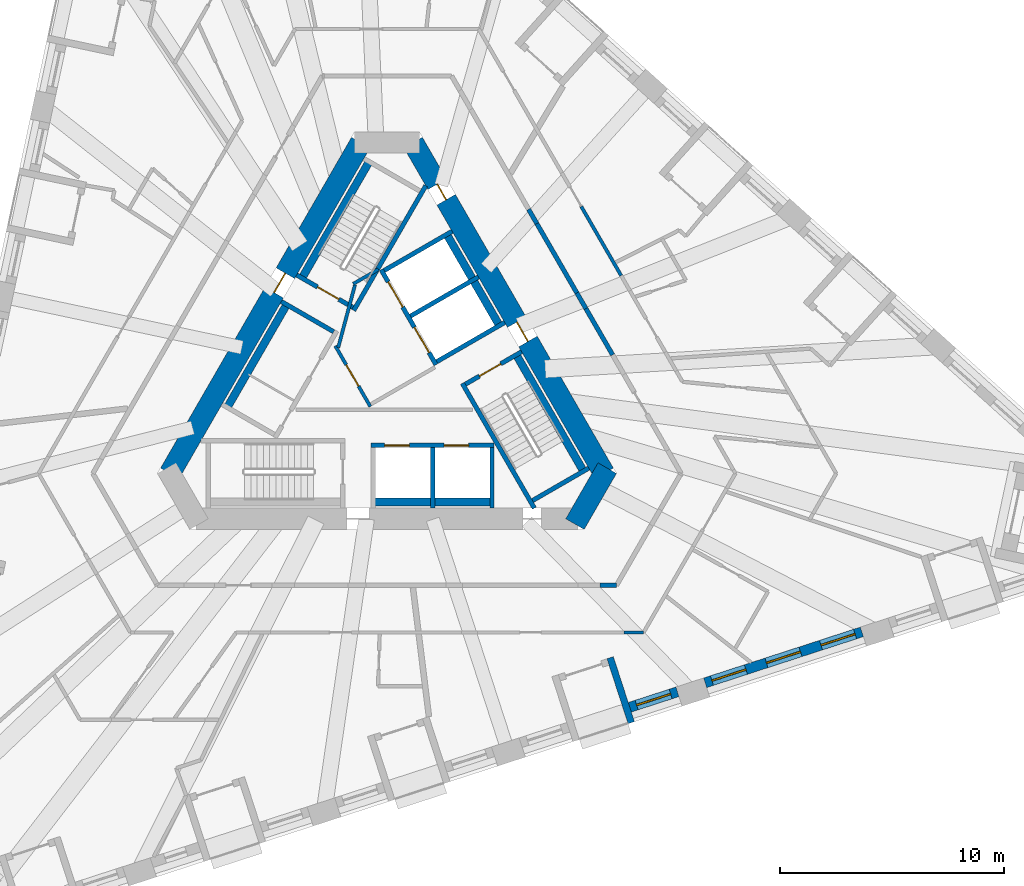
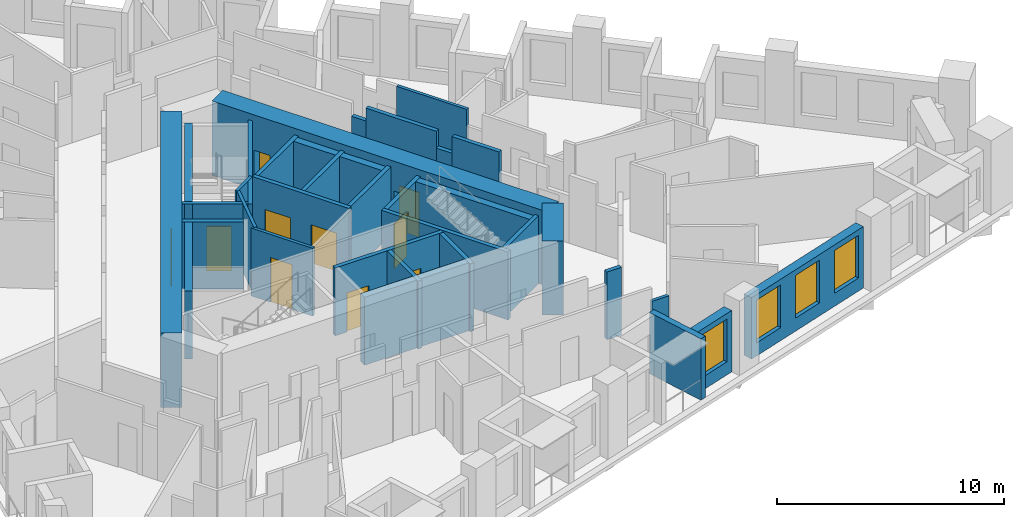
# One storey, part 5 of 13: 34 walls, 10 doors, 4 windows, 14 openings.
"""IFC4 building model written with IfcOpenShell, lengths in metres."""

import ifcopenshell
import ifcopenshell.guid

model = None  # the IFC model being written
_history = None  # IfcOwnerHistory: only IFC2X3 demands one
_inside = {}  # id of a spatial element -> (the spatial element, [elements in it])
_under = {}  # id of a project, library or spatial element -> (it, [spatial elements below it])
_declared = {}  # id of a project -> (the project, [libraries it declares])
_typed = {}  # id of a type object -> (the type object, [elements of that type])
_made_of = {}  # id of a material, layer set ... -> (it, [elements and type objects made of it])


def new_model(schema):
    """Start an empty IFC model of exactly this schema.

    Asked for "IFC4X3", IfcOpenShell would pick the latest addendum, in which some entities
    have other attributes; the version numbers below select the first issue.
    IFC2X3 requires an IfcOwnerHistory on every rooted entity: one is made here for all.
    """
    global model, _history
    if schema == "IFC4X3":
        model = ifcopenshell.file(schema_version=(4, 3, 0, 0))
    else:
        model = ifcopenshell.file(schema=schema)
    _inside.clear()
    _under.clear()
    _declared.clear()
    _typed.clear()
    _made_of.clear()
    _history = None
    if model.schema == "IFC2X3":
        org = make("IfcOrganization", Name="unknown")
        user = make(
            "IfcPersonAndOrganization",
            ThePerson=make("IfcPerson", FamilyName="unknown"),
            TheOrganization=org,
        )
        app = make(
            "IfcApplication",
            ApplicationDeveloper=org,
            Version="unknown",
            ApplicationFullName="unknown",
            ApplicationIdentifier="unknown",
        )
        _history = make(
            "IfcOwnerHistory",
            OwningUser=user,
            OwningApplication=app,
            ChangeAction="ADDED",
            CreationDate=0,
        )
    return model


def make(cls, **values):
    """One entity of the class cls with the attributes given. An attribute that is None is left unset."""
    return model.create_entity(
        cls, **{name: value for name, value in values.items() if value is not None}
    )


def rooted(cls, **values):
    """An entity with a GlobalId (a new one), such as an element, a storey or a relation."""
    return make(cls, GlobalId=ifcopenshell.guid.new(), OwnerHistory=_history, **values)


def si_unit(unit_type, name, prefix=None):
    """IfcSIUnit, for example si_unit("LENGTHUNIT", "METRE", prefix="MILLI")."""
    return make("IfcSIUnit", UnitType=unit_type, Prefix=prefix, Name=name)


def assignment(units):
    """IfcUnitAssignment: the units of a project."""
    return None if units is None else make("IfcUnitAssignment", Units=units)


def point(xyz):
    """IfcCartesianPoint."""
    return None if xyz is None else make("IfcCartesianPoint", Coordinates=xyz)


def direction(xyz):
    """IfcDirection."""
    return None if xyz is None else make("IfcDirection", DirectionRatios=xyz)


def frame(location, z_axis=None, x_axis=None):
    """IfcAxis2Placement3D, a coordinate frame: its origin and axes. An axis left out is left unset."""
    return make(
        "IfcAxis2Placement3D",
        Location=point(location),
        Axis=direction(z_axis),
        RefDirection=direction(x_axis),
    )


def frame_2d(location, x_axis=None):
    """IfcAxis2Placement2D, a coordinate frame in the plane: its origin and x axis."""
    return make(
        "IfcAxis2Placement2D", Location=point(location), RefDirection=direction(x_axis)
    )


def origin():
    """The frame at (0, 0, 0) with its axes left unset."""
    return frame((0.0, 0.0, 0.0))


def place(relative_to, where):
    """IfcLocalPlacement: puts the frame where relative to a parent placement (None: the world)."""
    return make(
        "IfcLocalPlacement", PlacementRelTo=relative_to, RelativePlacement=where
    )


def context(
    kind, dimensions, precision=None, world=None, true_north=None, identifier=None
):
    """IfcGeometricRepresentationContext, for example the 3D "Model" context."""
    return make(
        "IfcGeometricRepresentationContext",
        ContextIdentifier=identifier,
        ContextType=kind,
        CoordinateSpaceDimension=dimensions,
        Precision=precision,
        WorldCoordinateSystem=world,
        TrueNorth=true_north,
    )


def subcontext(parent, identifier, kind, view, scale=None):
    """IfcGeometricRepresentationSubContext, for example "Body" below "Model"."""
    return make(
        "IfcGeometricRepresentationSubContext",
        ContextIdentifier=identifier,
        ContextType=kind,
        ParentContext=parent,
        TargetScale=scale,
        TargetView=view,
    )


def project(units=None, contexts=None):
    """IfcProject with its units and contexts."""
    return rooted(
        "IfcProject",
        Name="project",
        RepresentationContexts=contexts,
        UnitsInContext=assignment(units),
    )


def spatial(cls, under=None, at=None, **own):
    """A site, building, storey or space (cls), placed at a placement, below another one or the project."""
    s = rooted(cls, ObjectPlacement=at, **own)
    if under is not None:
        _under.setdefault(under.id(), (under, []))[1].append(s)
    return s


def profile(cls, at=None, kind="AREA", **sizes):
    """A parametric profile (cls). Its sizes go by their IFC names, for example OverallWidth=200.0."""
    return make(cls, ProfileType=kind, Position=at, **sizes)


def rectangle(**sizes):
    """IfcRectangleProfileDef."""
    return profile("IfcRectangleProfileDef", **sizes)


def extrude(swept, where, along, depth):
    """IfcExtrudedAreaSolid: the profile swept, set in the frame where, extruded along a direction by depth."""
    return make(
        "IfcExtrudedAreaSolid",
        SweptArea=swept,
        Position=where,
        ExtrudedDirection=direction(along),
        Depth=depth,
    )


def shape(context_of_items, identifier, shape_type, items):
    """IfcShapeRepresentation: the items that make up one representation, for example the "Body"."""
    return make(
        "IfcShapeRepresentation",
        ContextOfItems=context_of_items,
        RepresentationIdentifier=identifier,
        RepresentationType=shape_type,
        Items=items,
    )


def material(Name=None, Category=None):
    """IfcMaterial."""
    return make("IfcMaterial", Name=Name, Category=Category)


def layer(
    of_material, thickness, ventilated=None, Name=None, Category=None, Priority=None
):
    """IfcMaterialLayer: one layer of a wall or slab, of a material (None: an air gap)."""
    return make(
        "IfcMaterialLayer",
        Material=of_material,
        LayerThickness=thickness,
        IsVentilated=ventilated,
        Name=Name,
        Category=Category,
        Priority=Priority,
    )


def layer_set(layers, Name=None):
    """IfcMaterialLayerSet."""
    return make("IfcMaterialLayerSet", MaterialLayers=layers, LayerSetName=Name)


def made_of(thing, what):
    """Note that an element or type object is made of a material, layer set ...; save() writes the relation."""
    if what is not None:
        _made_of.setdefault(what.id(), (what, []))[1].append(thing)
    return thing


def type_object(cls, material=None, **own):
    """A type object (cls), such as IfcWallType, which elements share."""
    return made_of(rooted(cls, **own), material)


def element(
    cls,
    number,
    at=None,
    inside=None,
    cuts=None,
    type_object=None,
    material=None,
    context=None,
    identifier="Body",
    shape_type=None,
    held_by="IfcProductDefinitionShape",
    body=None,
    shapes=None,
    **own,
):
    """One element of the class cls, such as IfcWall. Its Tag is "e" and its number.

    at: its placement. inside: the storey or other place that contains it. cuts: it is an
    opening in that element (IfcRelVoidsElement). A single representation is given by context,
    identifier, shape_type and body (its items); several are given by shapes. held_by: the class
    of the entity that holds the representations. save() writes the other relations.
    """
    e = rooted(cls, Tag="e%d" % number, ObjectPlacement=at, **own)
    if body is not None:
        shapes = [shape(context, identifier, shape_type, body)]
    if shapes is not None:
        e.Representation = make(held_by, Representations=shapes)
    if inside is not None:
        _inside.setdefault(inside.id(), (inside, []))[1].append(e)
    if cuts is not None:
        rooted(
            "IfcRelVoidsElement", RelatingBuildingElement=cuts, RelatedOpeningElement=e
        )
    if type_object is not None:
        _typed.setdefault(type_object.id(), (type_object, []))[1].append(e)
    return made_of(e, material)


def fill(opening, filler):
    """IfcRelFillsElement: the door or window that sits in an opening."""
    return rooted(
        "IfcRelFillsElement",
        RelatingOpeningElement=opening,
        RelatedBuildingElement=filler,
    )


def aggregate(whole, parts):
    """IfcRelAggregates: a whole, such as a stair, and the parts it consists of."""
    return rooted("IfcRelAggregates", RelatingObject=whole, RelatedObjects=parts)


def save(model, path):
    """Write the relations noted so far, then the file.

    IfcRelAggregates (storeys below a building ...), IfcRelContainedInSpatialStructure (elements
    in a storey), IfcRelDefinesByType, IfcRelAssociatesMaterial and IfcRelDeclares: one each for
    every whole, place, type object, material and project.
    """
    for whole, parts in _under.values():
        aggregate(whole, parts)
    for where, things in _inside.values():
        rooted(
            "IfcRelContainedInSpatialStructure",
            RelatedElements=things,
            RelatingStructure=where,
        )
    for kind, things in _typed.values():
        rooted("IfcRelDefinesByType", RelatedObjects=things, RelatingType=kind)
    for what, things in _made_of.values():
        rooted("IfcRelAssociatesMaterial", RelatedObjects=things, RelatingMaterial=what)
    for by, libraries in _declared.values():
        rooted("IfcRelDeclares", RelatingContext=by, RelatedDefinitions=libraries)
    model.write(path)


model = new_model("IFC4")

# Units and contexts
model_context = context("Model", 3, precision=1e-05, world=origin(), true_north=direction((0.0, 1.0)))
body_context = subcontext(model_context, "Body", "Model", "MODEL_VIEW")
ifc_project = project(units=[si_unit("LENGTHUNIT", "METRE"), si_unit("AREAUNIT", "SQUARE_METRE"), si_unit("VOLUMEUNIT", "CUBIC_METRE"), si_unit("PLANEANGLEUNIT", "RADIAN"), si_unit("MASSUNIT", "GRAM", prefix="KILO")], contexts=[model_context])

# Site, building, storey
site_placement = place(None, origin())
site = spatial("IfcSite", under=ifc_project, at=site_placement, CompositionType="ELEMENT")
building_placement = place(site_placement, origin())
building = spatial("IfcBuilding", under=site, at=building_placement, Name="Tramontana Tower", CompositionType="ELEMENT")
storey_placement = place(building_placement, frame((0.0, 0.0, 104.39990234375)))
storey = spatial("IfcBuildingStorey", under=building, at=storey_placement, Name="L23", CompositionType="ELEMENT", Elevation=104.39990234375)

# Wall, opening, door
ifc_material_1 = material(Name="Concrete 70 MPa", Category="concrete")
ifc_layer_1 = layer(ifc_material_1, 0.949951171875)
ifc_layer_set_1 = layer_set([ifc_layer_1], Name="Core wall 950 70 MPa")
wall_type_1 = type_object("IfcWallType", Name="Core wall 950 70 MPa", PredefinedType="SHEAR", material=ifc_layer_set_1)
wall_1_placement = place(storey_placement, frame((-1.169189453125, 10.52490234375, 0.0), z_axis=(0.0, 0.0, 1.0), x_axis=(-0.499999102847, -0.866025921755, 0.0)))
wall_1 = element("IfcWall", 1, at=wall_1_placement, inside=storey, type_object=wall_type_1, Name="Core wall C1 L23", PredefinedType="SHEAR", context=body_context, shape_type="SweptSolid", body=[
    extrude(rectangle(XDim=17.060546875, YDim=0.949951171875, at=frame_2d((8.5302734375, 0.0))), origin(), (0.0, 0.0, 1.0), 4.0),
])
opening_1_placement = place(wall_1_placement, frame((6.7353515625, 0.0, 0.0)))
opening_1 = element("IfcOpeningElement", 2, at=opening_1_placement, cuts=wall_1, Name="Opening RG1", PredefinedType="OPENING", context=body_context, shape_type="SweptSolid", body=[
    extrude(rectangle(XDim=1.0, YDim=2.39990234375, at=frame_2d((0.5, 1.199951171875))), frame((0.0, 0.48486328125, 0.0), z_axis=(0.0, -1.0, 0.0), x_axis=(1.0, 0.0, 0.0)), (0.0, 0.0, 1.0), 0.969970703125),
])
ifc_material_2 = material(Name="Painted steel", Category="steel")
door_type_1 = type_object("IfcDoorType", Name="RING DOOR 1000", OperationType="SINGLE_SWING_LEFT", PredefinedType="DOOR", material=ifc_material_2)
door_1_placement = place(opening_1_placement, origin())
door_1 = element("IfcDoor", 3, at=door_1_placement, inside=storey, type_object=door_type_1, Name="Door RG1", OperationType="SINGLE_SWING_RIGHT", OverallHeight=2.39990234375, OverallWidth=1.0, PredefinedType="DOOR", context=body_context, shape_type="SweptSolid", body=[
    extrude(rectangle(XDim=1.0, YDim=2.39990234375, at=frame_2d((0.5, 1.199951171875))), frame((0.0, 0.02490234375, 0.0), z_axis=(0.0, -1.0, 0.0), x_axis=(1.0, 0.0, 0.0)), (0.0, 0.0, 1.0), 0.050048828125),
])
fill(opening_1, door_1)

# Wall
wall_2_placement = place(storey_placement, frame((8.393310546875, -6.512451171875, 0.0), z_axis=(0.0, 0.0, 1.0), x_axis=(0.499995765644, 0.866027848477, 0.0)))
element("IfcWall", 4, at=wall_2_placement, inside=storey, type_object=wall_type_1, Name="Core wall C4 L23", PredefinedType="SHEAR", context=body_context, shape_type="SweptSolid", body=[
    extrude(rectangle(XDim=2.88671875, YDim=0.949951171875, at=frame_2d((1.443359375, 0.0))), origin(), (0.0, 0.0, 1.0), 4.0),
])

# Wall, openings, doors
wall_3_placement = place(storey_placement, frame((9.699462890625, -4.25, 0.0), z_axis=(0.0, 0.0, 1.0), x_axis=(-0.499999102847, 0.866025921755, 0.0)))
wall_3 = element("IfcWall", 5, at=wall_3_placement, inside=storey, type_object=wall_type_1, Name="Core wall C5 L23", PredefinedType="SHEAR", context=body_context, shape_type="SweptSolid", body=[
    extrude(rectangle(XDim=17.060546875, YDim=0.949951171875, at=frame_2d((8.5302734375, 0.0))), origin(), (0.0, 0.0, 1.0), 4.0),
])
opening_2_placement = place(wall_3_placement, frame((6.805419921875, 0.0, 0.0)))
opening_2 = element("IfcOpeningElement", 6, at=opening_2_placement, cuts=wall_3, Name="Opening RG3", PredefinedType="OPENING", context=body_context, shape_type="SweptSolid", body=[
    extrude(rectangle(XDim=1.0, YDim=2.39990234375, at=frame_2d((0.5, 1.199951171875))), frame((0.0, 0.48486328125, 0.0), z_axis=(0.0, -1.0, 0.0), x_axis=(1.0, 0.0, 0.0)), (0.0, 0.0, 1.0), 0.969970703125),
])
opening_3_placement = place(wall_3_placement, frame((14.11376953125, 0.0, 0.0)))
opening_3 = element("IfcOpeningElement", 7, at=opening_3_placement, cuts=wall_3, Name="Opening PD3", PredefinedType="OPENING", context=body_context, shape_type="SweptSolid", body=[
    extrude(rectangle(XDim=0.800048828125, YDim=2.10009765625, at=frame_2d((0.39990234375, 1.050048828125))), frame((0.0, 0.48486328125, 0.0), z_axis=(0.0, -1.0, 0.0), x_axis=(1.0, 0.0, 0.0)), (0.0, 0.0, 1.0), 0.969970703125),
])
ifc_material_3 = material(Name="Painted steel", Category="steel")
door_type_2 = type_object("IfcDoorType", Name="CUPBOARD DOOR 800", OperationType="SINGLE_SWING_LEFT", PredefinedType="DOOR", material=ifc_material_3)
door_2_placement = place(opening_3_placement, origin())
door_2 = element("IfcDoor", 8, at=door_2_placement, inside=storey, type_object=door_type_2, Name="Door PD3", OperationType="SINGLE_SWING_RIGHT", OverallHeight=2.10009765625, OverallWidth=0.800048828125, PredefinedType="DOOR", context=body_context, shape_type="SweptSolid", body=[
    extrude(rectangle(XDim=0.800048828125, YDim=2.10009765625, at=frame_2d((0.39990234375, 1.050048828125))), frame((0.0, 0.02490234375, 0.0), z_axis=(0.0, -1.0, 0.0), x_axis=(1.0, 0.0, 0.0)), (0.0, 0.0, 1.0), 0.050048828125),
])
fill(opening_3, door_2)
door_3_placement = place(opening_2_placement, origin())
door_3 = element("IfcDoor", 9, at=door_3_placement, inside=storey, type_object=door_type_1, Name="Door RG3", OperationType="SINGLE_SWING_RIGHT", OverallHeight=2.39990234375, OverallWidth=1.0, PredefinedType="DOOR", context=body_context, shape_type="SweptSolid", body=[
    extrude(rectangle(XDim=1.0, YDim=2.39990234375, at=frame_2d((0.5, 1.199951171875))), frame((0.0, 0.02490234375, 0.0), z_axis=(0.0, -1.0, 0.0), x_axis=(1.0, 0.0, 0.0)), (0.0, 0.0, 1.0), 0.050048828125),
])
fill(opening_2, door_3)

# Walls
ifc_material_4 = material(Name="Blockwork", Category="masonry")
ifc_layer_2 = layer(ifc_material_4, 0.199951171875)
ifc_layer_set_2 = layer_set([ifc_layer_2], Name="ENTRY WALL 200")
wall_type_2 = type_object("IfcWallType", Name="ENTRY WALL 200", PredefinedType="SOLIDWALL", material=ifc_layer_set_2)
wall_4_placement = place(storey_placement, frame((6.323974609375, 7.546630859375, 0.0), z_axis=(0.0, 0.0, 1.0), x_axis=(0.499885169746, -0.866091690913, 0.0)))
element("IfcWall", 10, at=wall_4_placement, inside=storey, type_object=wall_type_2, Name="Wall v21-ew0-3", PredefinedType="SOLIDWALL", context=body_context, shape_type="SweptSolid", body=[
    extrude(rectangle(XDim=0.736083984375, YDim=0.199951171875, at=frame_2d((0.3681640625, 0.0))), origin(), (0.0, 0.0, 1.0), 2.9501953125),
])
wall_5_placement = place(storey_placement, frame((6.69189453125, 6.9091796875, 0.0), z_axis=(0.0, 0.0, 1.0), x_axis=(0.500029679218, -0.866008267802, 0.0)))
element("IfcWall", 11, at=wall_5_placement, inside=storey, type_object=wall_type_2, Name="Wall v21-ew0-4", PredefinedType="SOLIDWALL", context=body_context, shape_type="SweptSolid", body=[
    extrude(rectangle(XDim=3.576904296875, YDim=0.199951171875, at=frame_2d((1.78857421875, 0.0))), origin(), (0.0, 0.0, 1.0), 3.650146484375),
])
wall_6_placement = place(storey_placement, frame((8.48046875, 3.8115234375, 0.0), z_axis=(0.0, 0.0, 1.0), x_axis=(0.499809598504, -0.866135304236, 0.0)))
element("IfcWall", 12, at=wall_6_placement, inside=storey, type_object=wall_type_2, Name="Wall v21-ew0-5", PredefinedType="SOLIDWALL", context=body_context, shape_type="SweptSolid", body=[
    extrude(rectangle(XDim=0.808349609375, YDim=0.199951171875, at=frame_2d((0.404296875, 0.0))), origin(), (0.0, 0.0, 1.0), 2.75),
])
wall_7_placement = place(storey_placement, frame((8.884521484375, 3.111328125, 0.0), z_axis=(0.0, 0.0, 1.0), x_axis=(0.500035462246, -0.866004928679, 0.0)))
element("IfcWall", 13, at=wall_7_placement, inside=storey, type_object=wall_type_2, Name="Wall v21-ew0-6", PredefinedType="SOLIDWALL", context=body_context, shape_type="SweptSolid", body=[
    extrude(rectangle(XDim=2.385498046875, YDim=0.199951171875, at=frame_2d((1.19287109375, 0.0))), origin(), (0.0, 0.0, 1.0), 3.650146484375),
])
wall_8_placement = place(storey_placement, frame((10.248046875, -9.25, 0.0), z_axis=(0.0, 0.0, 1.0), x_axis=(-1.0, 0.0, 0.0)))
element("IfcWall", 14, at=wall_8_placement, inside=storey, type_object=wall_type_2, Name="Wall v21-ew2-0", PredefinedType="SOLIDWALL", context=body_context, shape_type="SweptSolid", body=[
    extrude(rectangle(XDim=0.74365234375, YDim=0.199951171875, at=frame_2d((0.371826171875, 0.0))), origin(), (0.0, 0.0, 1.0), 3.650146484375),
])

# Wall, opening, window
ifc_material_5 = material(Name="Precast concrete 60 MPa", Category="concrete")
ifc_layer_3 = layer(ifc_material_5, 0.449951171875)
ifc_layer_set_3 = layer_set([ifc_layer_3], Name="Precast concrete 60 MPa, 450 mm")
wall_type_3 = type_object("IfcWallType", Name="EW1 Stone-faced precast wall 450", PredefinedType="SOLIDWALL", material=ifc_layer_set_3)
wall_9_placement = place(storey_placement, frame((10.8447265625, -14.69287109375, 0.0), z_axis=(0.0, 0.0, 1.0), x_axis=(0.951057328329, 0.30901449518, 0.0)))
wall_9 = element("IfcWall", 15, at=wall_9_placement, inside=storey, type_object=wall_type_3, Name="External wall L23 face 1 bay 4", PredefinedType="SOLIDWALL", context=body_context, shape_type="SweptSolid", body=[
    extrude(rectangle(XDim=2.236572265625, YDim=0.449951171875, at=frame_2d((1.1181640625, 0.0))), origin(), (0.0, 0.0, 1.0), 3.300048828125),
])
opening_4_placement = place(wall_9_placement, frame((0.318359375, 0.0, 0.699951171875)))
opening_4 = element("IfcOpeningElement", 16, at=opening_4_placement, cuts=wall_9, Name="Opening M1", PredefinedType="OPENING", context=body_context, shape_type="SweptSolid", body=[
    extrude(rectangle(XDim=1.60009765625, YDim=2.300048828125, at=frame_2d((0.800048828125, 1.14990234375))), frame((0.0, 0.23486328125, 0.0), z_axis=(0.0, -1.0, 0.0), x_axis=(1.0, 0.0, 0.0)), (0.0, 0.0, 1.0), 0.469970703125),
])
ifc_material_6 = material(Name="Aluminum frame, double glazing unit", Category="aluminium")
window_type = type_object("IfcWindowType", Name="M1 Window 1.6 x 2.3", PartitioningType="SINGLE_PANEL", PredefinedType="WINDOW", material=ifc_material_6)
window_1_placement = place(opening_4_placement, origin())
window_1 = element("IfcWindow", 17, at=window_1_placement, inside=storey, type_object=window_type, Name="Window M1 L23 face 1 module 12", OverallHeight=2.300048828125, OverallWidth=1.60009765625, PartitioningType="SINGLE_PANEL", PredefinedType="WINDOW", context=body_context, shape_type="SweptSolid", body=[
    extrude(rectangle(XDim=1.60009765625, YDim=2.300048828125, at=frame_2d((0.800048828125, 1.14990234375))), frame((0.0, 0.030029296875, 0.0), z_axis=(0.0, -1.0, 0.0), x_axis=(1.0, 0.0, 0.0)), (0.0, 0.0, 1.0), 0.06005859375),
])
fill(opening_4, window_1)

# Wall, openings, windows
wall_10_placement = place(storey_placement, frame((14.208251953125, -13.60009765625, 0.0), z_axis=(0.0, 0.0, 1.0), x_axis=(0.951057467065, 0.309014068191, 0.0)))
wall_10 = element("IfcWall", 18, at=wall_10_placement, inside=storey, type_object=wall_type_3, Name="External wall L23 face 1 bay 5", PredefinedType="SOLIDWALL", context=body_context, shape_type="SweptSolid", body=[
    extrude(rectangle(XDim=7.360107421875, YDim=0.449951171875, at=frame_2d((3.68017578125, 0.0))), origin(), (0.0, 0.0, 1.0), 3.300048828125),
])
opening_5_placement = place(wall_10_placement, frame((0.318359375, 0.0, 0.699951171875)))
opening_5 = element("IfcOpeningElement", 19, at=opening_5_placement, cuts=wall_10, Name="Opening M1", PredefinedType="OPENING", context=body_context, shape_type="SweptSolid", body=[
    extrude(rectangle(XDim=1.60009765625, YDim=2.300048828125, at=frame_2d((0.800048828125, 1.14990234375))), frame((0.0, 0.23486328125, 0.0), z_axis=(0.0, -1.0, 0.0), x_axis=(1.0, 0.0, 0.0)), (0.0, 0.0, 1.0), 0.469970703125),
])
opening_6_placement = place(wall_10_placement, frame((2.880126953125, 0.0, 0.699951171875)))
opening_6 = element("IfcOpeningElement", 20, at=opening_6_placement, cuts=wall_10, Name="Opening M1", PredefinedType="OPENING", context=body_context, shape_type="SweptSolid", body=[
    extrude(rectangle(XDim=1.60009765625, YDim=2.300048828125, at=frame_2d((0.800048828125, 1.14990234375))), frame((0.0, 0.23486328125, 0.0), z_axis=(0.0, -1.0, 0.0), x_axis=(1.0, 0.0, 0.0)), (0.0, 0.0, 1.0), 0.469970703125),
])
opening_7_placement = place(wall_10_placement, frame((5.44189453125, 0.0, 0.699951171875)))
opening_7 = element("IfcOpeningElement", 21, at=opening_7_placement, cuts=wall_10, Name="Opening M1", PredefinedType="OPENING", context=body_context, shape_type="SweptSolid", body=[
    extrude(rectangle(XDim=1.60009765625, YDim=2.300048828125, at=frame_2d((0.800048828125, 1.14990234375))), frame((0.0, 0.23486328125, 0.0), z_axis=(0.0, -1.0, 0.0), x_axis=(1.0, 0.0, 0.0)), (0.0, 0.0, 1.0), 0.469970703125),
])
window_2_placement = place(opening_5_placement, origin())
window_2 = element("IfcWindow", 22, at=window_2_placement, inside=storey, type_object=window_type, Name="Window M1 L23 face 1 module 13", OverallHeight=2.300048828125, OverallWidth=1.60009765625, PartitioningType="SINGLE_PANEL", PredefinedType="WINDOW", context=body_context, shape_type="SweptSolid", body=[
    extrude(rectangle(XDim=1.60009765625, YDim=2.300048828125, at=frame_2d((0.800048828125, 1.14990234375))), frame((0.0, 0.030029296875, 0.0), z_axis=(0.0, -1.0, 0.0), x_axis=(1.0, 0.0, 0.0)), (0.0, 0.0, 1.0), 0.06005859375),
])
fill(opening_5, window_2)
window_3_placement = place(opening_6_placement, origin())
window_3 = element("IfcWindow", 23, at=window_3_placement, inside=storey, type_object=window_type, Name="Window M1 L23 face 1 module 14", OverallHeight=2.300048828125, OverallWidth=1.60009765625, PartitioningType="SINGLE_PANEL", PredefinedType="WINDOW", context=body_context, shape_type="SweptSolid", body=[
    extrude(rectangle(XDim=1.60009765625, YDim=2.300048828125, at=frame_2d((0.800048828125, 1.14990234375))), frame((0.0, 0.030029296875, 0.0), z_axis=(0.0, -1.0, 0.0), x_axis=(1.0, 0.0, 0.0)), (0.0, 0.0, 1.0), 0.06005859375),
])
fill(opening_6, window_3)
window_4_placement = place(opening_7_placement, origin())
window_4 = element("IfcWindow", 24, at=window_4_placement, inside=storey, type_object=window_type, Name="Window M1 L23 face 1 module 15", OverallHeight=2.300048828125, OverallWidth=1.60009765625, PartitioningType="SINGLE_PANEL", PredefinedType="WINDOW", context=body_context, shape_type="SweptSolid", body=[
    extrude(rectangle(XDim=1.60009765625, YDim=2.300048828125, at=frame_2d((0.800048828125, 1.14990234375))), frame((0.0, 0.030029296875, 0.0), z_axis=(0.0, -1.0, 0.0), x_axis=(1.0, 0.0, 0.0)), (0.0, 0.0, 1.0), 0.06005859375),
])
fill(opening_7, window_4)

# Wall
ifc_material_7 = material(Name="Precast concrete 60 MPa", Category="concrete")
ifc_layer_4 = layer(ifc_material_7, 0.300048828125)
ifc_layer_set_4 = layer_set([ifc_layer_4], Name="LW1 Stone-faced loggia wall 300")
wall_type_4 = type_object("IfcWallType", Name="LW1 Stone-faced loggia wall 300", PredefinedType="SOLIDWALL", material=ifc_layer_set_4)
wall_11_placement = place(storey_placement, frame((10.91064453125, -15.38134765625, 0.0), z_axis=(0.0, 0.0, 1.0), x_axis=(-0.309039015525, 0.951049360908, 0.0)))
element("IfcWall", 25, at=wall_11_placement, inside=storey, type_object=wall_type_4, Name="Loggia return L23 G2S1.10b", PredefinedType="SOLIDWALL", context=body_context, shape_type="SweptSolid", body=[
    extrude(rectangle(XDim=3.05029296875, YDim=0.300048828125, at=frame_2d((1.525146484375, 0.0))), origin(), (0.0, 0.0, 1.0), 3.300048828125),
])

# Wall, opening, door
ifc_material_8 = material(Name="Gypsum board partition")
ifc_layer_5 = layer(ifc_material_8, 0.14990234375)
ifc_layer_set_5 = layer_set([ifc_layer_5], Name="PARTITION 150")
wall_type_5 = type_object("IfcWallType", Name="PARTITION 150", PredefinedType="PARTITIONING", material=ifc_layer_set_5)
wall_12_placement = place(storey_placement, frame((-0.744140625, -1.260986328125, 0.0), z_axis=(0.0, 0.0, 1.0), x_axis=(-0.500004234368, 0.866022959057, 0.0)))
wall_12 = element("IfcWall", 26, at=wall_12_placement, inside=storey, type_object=wall_type_5, Name="Wall ff-front", PredefinedType="PARTITIONING", context=body_context, shape_type="SweptSolid", body=[
    extrude(rectangle(XDim=3.125, YDim=0.14990234375, at=frame_2d((1.5625, 0.0))), origin(), (0.0, 0.0, 1.0), 3.650146484375),
])
opening_8_placement = place(wall_12_placement, frame((1.050048828125, 0.0, 0.0)))
opening_8 = element("IfcOpeningElement", 27, at=opening_8_placement, cuts=wall_12, Name="Opening FD1", PredefinedType="OPENING", context=body_context, shape_type="SweptSolid", body=[
    extrude(rectangle(XDim=1.10009765625, YDim=2.39990234375, at=frame_2d((0.550048828125, 1.199951171875))), frame((0.0, 0.0849609375, 0.0), z_axis=(0.0, -1.0, 0.0), x_axis=(1.0, 0.0, 0.0)), (0.0, 0.0, 1.0), 0.169921875),
])
ifc_material_9 = material(Name="Painted timber", Category="wood")
door_type_3 = type_object("IfcDoorType", Name="DOOR ENTRY 1100", OperationType="SINGLE_SWING_LEFT", PredefinedType="DOOR", material=ifc_material_9)
door_4_placement = place(opening_8_placement, origin())
door_4 = element("IfcDoor", 28, at=door_4_placement, inside=storey, type_object=door_type_3, Name="Door FD1", OperationType="SINGLE_SWING_LEFT", OverallHeight=2.39990234375, OverallWidth=1.10009765625, PredefinedType="DOOR", context=body_context, shape_type="SweptSolid", body=[
    extrude(rectangle(XDim=1.10009765625, YDim=2.39990234375, at=frame_2d((0.550048828125, 1.199951171875))), frame((0.0, 0.02490234375, 0.0), z_axis=(0.0, -1.0, 0.0), x_axis=(1.0, 0.0, 0.0)), (0.0, 0.0, 1.0), 0.050048828125),
])
fill(opening_8, door_4)

# Walls
wall_13_placement = place(storey_placement, frame((-2.177978515625, 1.372314453125, 0.0), z_axis=(0.0, 0.0, 1.0), x_axis=(0.258808958833, 0.96592852884, 0.0)))
element("IfcWall", 29, at=wall_13_placement, inside=storey, type_object=wall_type_5, Name="Wall ff-diag", PredefinedType="PARTITIONING", context=body_context, shape_type="SweptSolid", body=[
    extrude(rectangle(XDim=2.902587890625, YDim=0.14990234375, at=frame_2d((1.451171875, 0.0))), origin(), (0.0, 0.0, 1.0), 3.650146484375),
])
wall_14_placement = place(storey_placement, frame((-1.509765625, 4.21484375, 0.0), z_axis=(0.0, 0.0, 1.0), x_axis=(0.866085525409, 0.49989585183, 0.0)))
element("IfcWall", 30, at=wall_14_placement, inside=storey, type_object=wall_type_5, Name="Wall ff-end1", PredefinedType="PARTITIONING", context=body_context, shape_type="SweptSolid", body=[
    extrude(rectangle(XDim=1.300048828125, YDim=0.14990234375, at=frame_2d((0.64990234375, 0.0))), origin(), (0.0, 0.0, 1.0), 3.650146484375),
])
wall_15_placement = place(storey_placement, frame((8.678955078125, 7.667724609375, 0.0), z_axis=(0.0, 0.0, 1.0), x_axis=(0.500013496215, -0.866017611601, 0.0)))
element("IfcWall", 31, at=wall_15_placement, inside=storey, type_object=wall_type_5, Name="Wall v21-pw40-3", PredefinedType="PARTITIONING", context=body_context, shape_type="SweptSolid", body=[
    extrude(rectangle(XDim=3.55810546875, YDim=0.14990234375, at=frame_2d((1.779052734375, 0.0))), origin(), (0.0, 0.0, 1.0), 3.650146484375),
])
wall_16_placement = place(storey_placement, frame((11.46044921875, -11.35009765625, 0.0), z_axis=(0.0, 0.0, 1.0), x_axis=(-1.0, 0.0, 0.0)))
element("IfcWall", 32, at=wall_16_placement, inside=storey, type_object=wall_type_5, Name="Wall v21-pw44-0", PredefinedType="PARTITIONING", context=body_context, shape_type="SweptSolid", body=[
    extrude(rectangle(XDim=0.869384765625, YDim=0.14990234375, at=frame_2d((0.4345703125, 0.0))), origin(), (0.0, 0.0, 1.0), 2.9501953125),
])
ifc_material_10 = material(Name="Concrete 70 MPa", Category="concrete")
ifc_layer_6 = layer(ifc_material_10, 0.35009765625)
ifc_layer_set_6 = layer_set([ifc_layer_6], Name="Concrete 70 MPa, 350 mm")
wall_type_6 = type_object("IfcWallType", Name="RC SHAFT BACK WALL 350", PredefinedType="SOLIDWALL", material=ifc_layer_set_6)
wall_17_placement = place(storey_placement, frame((-0.744873046875, 9.760009765625, 0.0), z_axis=(0.0, 0.0, 1.0), x_axis=(-0.49998037582, -0.866036733513, 0.0)))
element("IfcWall", 33, at=wall_17_placement, inside=storey, type_object=wall_type_6, Name="Wall st1-back", PredefinedType="SOLIDWALL", context=body_context, shape_type="SweptSolid", body=[
    extrude(rectangle(XDim=6.199951171875, YDim=0.35009765625, at=frame_2d((3.10009765625, 0.0))), origin(), (0.0, 0.0, 1.0), 3.650146484375),
])
wall_18_placement = place(storey_placement, frame((8.82470703125, -4.23486328125, 0.0), z_axis=(0.0, 0.0, 1.0), x_axis=(-0.499997426962, 0.866026889324, 0.0)))
element("IfcWall", 34, at=wall_18_placement, inside=storey, type_object=wall_type_6, Name="Wall st3-back", PredefinedType="SOLIDWALL", context=body_context, shape_type="SweptSolid", body=[
    extrude(rectangle(XDim=6.19970703125, YDim=0.35009765625, at=frame_2d((3.099853515625, 0.0))), origin(), (0.0, 0.0, 1.0), 3.650146484375),
])
for number, where, z_axis, x_axis, name in (
    (35, (-4.4296875, 3.37744140625, 0.0), (0.0, 0.0, 1.0), (-0.499996545922, -0.866027397988, 0.0), "Wall row0-back"),
    (36, (-0.7099609375, -5.52490234375, 0.0), (0.0, 0.0, 1.0), (1.0, 0.0, 0.0), "Wall row1-back"),
):
    element("IfcWall", number, at=place(storey_placement, frame(where, z_axis=z_axis, x_axis=x_axis)), inside=storey, type_object=wall_type_6, Name=name, PredefinedType="SOLIDWALL", context=body_context, shape_type="SweptSolid", body=[
        extrude(rectangle(XDim=5.5, YDim=0.35009765625, at=frame_2d((2.75, 0.0))), origin(), (0.0, 0.0, 1.0), 3.650146484375),
    ])
wall_19_placement = place(storey_placement, frame((5.06982421875, 2.268798828125, 0.0), z_axis=(0.0, 0.0, 1.0), x_axis=(-0.49998122708, 0.866036242063, 0.0)))
element("IfcWall", 37, at=wall_19_placement, inside=storey, type_object=wall_type_6, Name="Wall row2-back", PredefinedType="SOLIDWALL", context=body_context, shape_type="SweptSolid", body=[
    extrude(rectangle(XDim=4.900146484375, YDim=0.35009765625, at=frame_2d((2.4501953125, 0.0))), origin(), (0.0, 0.0, 1.0), 3.650146484375),
])
ifc_material_11 = material(Name="Concrete 70 MPa", Category="concrete")
ifc_layer_7 = layer(ifc_material_11, 0.199951171875)
ifc_layer_set_7 = layer_set([ifc_layer_7], Name="Concrete 70 MPa, 200 mm")
wall_type_7 = type_object("IfcWallType", Name="RC STAIR AND SHAFT WALL 200", PredefinedType="SOLIDWALL", material=ifc_layer_set_7)
wall_20_placement = place(storey_placement, frame((1.73193359375, 8.60009765625, 0.0), z_axis=(0.0, 0.0, 1.0), x_axis=(-0.499975376872, -0.866039619487, 0.0)))
element("IfcWall", 38, at=wall_20_placement, inside=storey, type_object=wall_type_7, Name="Wall st1-front", PredefinedType="SOLIDWALL", context=body_context, shape_type="SweptSolid", body=[
    extrude(rectangle(XDim=6.433837890625, YDim=0.199951171875, at=frame_2d((3.216796875, 0.0))), origin(), (0.0, 0.0, 1.0), 3.650146484375),
])

# Wall, opening, door
wall_21_placement = place(storey_placement, frame((-1.521484375, 3.164794921875, 0.0), z_axis=(0.0, 0.0, 1.0), x_axis=(-0.866032775405, 0.499987231761, 0.0)))
wall_21 = element("IfcWall", 39, at=wall_21_placement, inside=storey, type_object=wall_type_7, Name="Wall st1-near", PredefinedType="SOLIDWALL", context=body_context, shape_type="SweptSolid", body=[
    extrude(rectangle(XDim=2.89990234375, YDim=0.199951171875, at=frame_2d((1.449951171875, 0.0))), origin(), (0.0, 0.0, 1.0), 3.650146484375),
])
opening_9_placement = place(wall_21_placement, frame((0.72509765625, 0.0, 0.0)))
opening_9 = element("IfcOpeningElement", 40, at=opening_9_placement, cuts=wall_21, Name="Opening SD1", PredefinedType="OPENING", context=body_context, shape_type="SweptSolid", body=[
    extrude(rectangle(XDim=1.10009765625, YDim=2.39990234375, at=frame_2d((0.550048828125, 1.199951171875))), frame((0.0, 0.10986328125, 0.0), z_axis=(0.0, -1.0, 0.0), x_axis=(1.0, 0.0, 0.0)), (0.0, 0.0, 1.0), 0.219970703125),
])
ifc_material_12 = material(Name="Painted steel", Category="steel")
door_type_4 = type_object("IfcDoorType", Name="STAIR DOOR 1100", OperationType="SINGLE_SWING_LEFT", PredefinedType="DOOR", material=ifc_material_12)
door_5_placement = place(opening_9_placement, origin())
door_5 = element("IfcDoor", 41, at=door_5_placement, inside=storey, type_object=door_type_4, Name="Door SD1", OperationType="SINGLE_SWING_RIGHT", OverallHeight=2.39990234375, OverallWidth=1.10009765625, PredefinedType="DOOR", context=body_context, shape_type="SweptSolid", body=[
    extrude(rectangle(XDim=1.10009765625, YDim=2.39990234375, at=frame_2d((0.550048828125, 1.199951171875))), frame((0.0, 0.02490234375, 0.0), z_axis=(0.0, -1.0, 0.0), x_axis=(1.0, 0.0, 0.0)), (0.0, 0.0, 1.0), 0.050048828125),
])
fill(opening_9, door_5)

# Walls
wall_22_placement = place(storey_placement, frame((6.581787109375, -5.800048828125, 0.0), z_axis=(0.0, 0.0, 1.0), x_axis=(-0.499975376872, 0.866039619487, 0.0)))
element("IfcWall", 42, at=wall_22_placement, inside=storey, type_object=wall_type_7, Name="Wall st3-front", PredefinedType="SOLIDWALL", context=body_context, shape_type="SweptSolid", body=[
    extrude(rectangle(XDim=6.433837890625, YDim=0.199951171875, at=frame_2d((3.216796875, 0.0))), origin(), (0.0, 0.0, 1.0), 3.650146484375),
])
wall_23_placement = place(storey_placement, frame((6.50146484375, -5.4609375, 0.0), z_axis=(0.0, 0.0, 1.0), x_axis=(0.866032775405, 0.499987231761, 0.0)))
element("IfcWall", 43, at=wall_23_placement, inside=storey, type_object=wall_type_7, Name="Wall st3-far", PredefinedType="SOLIDWALL", context=body_context, shape_type="SweptSolid", body=[
    extrude(rectangle(XDim=2.89990234375, YDim=0.199951171875, at=frame_2d((1.449951171875, 0.0))), origin(), (0.0, 0.0, 1.0), 3.650146484375),
])

# Wall, opening, door
wall_24_placement = place(storey_placement, frame((3.50146484375, -0.2646484375, 0.0), z_axis=(0.0, 0.0, 1.0), x_axis=(0.866032775405, 0.499987231761, 0.0)))
wall_24 = element("IfcWall", 44, at=wall_24_placement, inside=storey, type_object=wall_type_7, Name="Wall st3-near", PredefinedType="SOLIDWALL", context=body_context, shape_type="SweptSolid", body=[
    extrude(rectangle(XDim=2.89990234375, YDim=0.199951171875, at=frame_2d((1.449951171875, 0.0))), origin(), (0.0, 0.0, 1.0), 3.650146484375),
])
opening_10_placement = place(wall_24_placement, frame((0.72509765625, 0.0, 0.0)))
opening_10 = element("IfcOpeningElement", 45, at=opening_10_placement, cuts=wall_24, Name="Opening SD3", PredefinedType="OPENING", context=body_context, shape_type="SweptSolid", body=[
    extrude(rectangle(XDim=1.10009765625, YDim=2.39990234375, at=frame_2d((0.550048828125, 1.199951171875))), frame((0.0, 0.10986328125, 0.0), z_axis=(0.0, -1.0, 0.0), x_axis=(1.0, 0.0, 0.0)), (0.0, 0.0, 1.0), 0.219970703125),
])
door_6_placement = place(opening_10_placement, origin())
door_6 = element("IfcDoor", 46, at=door_6_placement, inside=storey, type_object=door_type_4, Name="Door SD3", OperationType="SINGLE_SWING_RIGHT", OverallHeight=2.39990234375, OverallWidth=1.10009765625, PredefinedType="DOOR", context=body_context, shape_type="SweptSolid", body=[
    extrude(rectangle(XDim=1.10009765625, YDim=2.39990234375, at=frame_2d((0.550048828125, 1.199951171875))), frame((0.0, 0.02490234375, 0.0), z_axis=(0.0, -1.0, 0.0), x_axis=(1.0, 0.0, 0.0)), (0.0, 0.0, 1.0), 0.050048828125),
])
fill(opening_10, door_6)

# Wall
wall_25_placement = place(storey_placement, frame((-2.379638671875, 2.078369140625, 0.0), z_axis=(0.0, 0.0, 1.0), x_axis=(-0.866059108428, 0.4999416173, 0.0)))
element("IfcWall", 47, at=wall_25_placement, inside=storey, type_object=wall_type_7, Name="Wall row0-side0", PredefinedType="SOLIDWALL", context=body_context, shape_type="SweptSolid", body=[
    extrude(rectangle(XDim=2.699951171875, YDim=0.199951171875, at=frame_2d((1.35009765625, 0.0))), origin(), (0.0, 0.0, 1.0), 3.650146484375),
])

# Wall, openings, doors
wall_26_placement = place(storey_placement, frame((-0.7099609375, -3.0, 0.0), z_axis=(0.0, 0.0, 1.0), x_axis=(1.0, 0.0, 0.0)))
wall_26 = element("IfcWall", 48, at=wall_26_placement, inside=storey, type_object=wall_type_7, Name="Wall row1-front", PredefinedType="SOLIDWALL", context=body_context, shape_type="SweptSolid", body=[
    extrude(rectangle(XDim=5.5, YDim=0.199951171875, at=frame_2d((2.75, 0.0))), origin(), (0.0, 0.0, 1.0), 3.650146484375),
])
opening_11_placement = place(wall_26_placement, frame((0.610107421875, 0.0, 0.0)))
opening_11 = element("IfcOpeningElement", 49, at=opening_11_placement, cuts=wall_26, Name="Opening LD-S1", PredefinedType="OPENING", context=body_context, shape_type="SweptSolid", body=[
    extrude(rectangle(XDim=1.10009765625, YDim=2.10009765625, at=frame_2d((0.550048828125, 1.050048828125))), frame((0.0, 0.10986328125, 0.0), z_axis=(0.0, -1.0, 0.0), x_axis=(1.0, 0.0, 0.0)), (0.0, 0.0, 1.0), 0.219970703125),
])
opening_12_placement = place(wall_26_placement, frame((3.260009765625, 0.0, 0.0)))
opening_12 = element("IfcOpeningElement", 50, at=opening_12_placement, cuts=wall_26, Name="Opening LD-S2", PredefinedType="OPENING", context=body_context, shape_type="SweptSolid", body=[
    extrude(rectangle(XDim=1.10009765625, YDim=2.10009765625, at=frame_2d((0.550048828125, 1.050048828125))), frame((0.0, 0.10986328125, 0.0), z_axis=(0.0, -1.0, 0.0), x_axis=(1.0, 0.0, 0.0)), (0.0, 0.0, 1.0), 0.219970703125),
])
ifc_material_13 = material(Name="Brushed steel", Category="steel")
door_type_5 = type_object("IfcDoorType", Name="LANDING DOOR 1100", OperationType="SINGLE_SWING_LEFT", PredefinedType="DOOR", material=ifc_material_13)
door_7_placement = place(opening_11_placement, origin())
door_7 = element("IfcDoor", 51, at=door_7_placement, inside=storey, type_object=door_type_5, Name="Door LD-S1", OperationType="SLIDING_TO_LEFT", OverallHeight=2.10009765625, OverallWidth=1.10009765625, PredefinedType="DOOR", context=body_context, shape_type="SweptSolid", body=[
    extrude(rectangle(XDim=1.10009765625, YDim=2.10009765625, at=frame_2d((0.550048828125, 1.050048828125))), frame((0.0, 0.02490234375, 0.0), z_axis=(0.0, -1.0, 0.0), x_axis=(1.0, 0.0, 0.0)), (0.0, 0.0, 1.0), 0.050048828125),
])
fill(opening_11, door_7)
door_8_placement = place(opening_12_placement, origin())
door_8 = element("IfcDoor", 52, at=door_8_placement, inside=storey, type_object=door_type_5, Name="Door LD-S2", OperationType="SLIDING_TO_RIGHT", OverallHeight=2.10009765625, OverallWidth=1.10009765625, PredefinedType="DOOR", context=body_context, shape_type="SweptSolid", body=[
    extrude(rectangle(XDim=1.10009765625, YDim=2.10009765625, at=frame_2d((0.550048828125, 1.050048828125))), frame((0.0, 0.02490234375, 0.0), z_axis=(0.0, -1.0, 0.0), x_axis=(1.0, 0.0, 0.0)), (0.0, 0.0, 1.0), 0.050048828125),
])
fill(opening_12, door_8)

# Walls
for number, where, z_axis, x_axis, name in (
    (53, (2.0400390625, -3.10009765625, 0.0), (0.0, 0.0, 1.0), (0.0, -1.0, 0.0), "Wall row1-side1"),
    (54, (4.68994140625, -3.10009765625, 0.0), (0.0, 0.0, 1.0), (0.0, -1.0, 0.0), "Wall row1-side2"),
):
    element("IfcWall", number, at=place(storey_placement, frame(where, z_axis=z_axis, x_axis=x_axis)), inside=storey, type_object=wall_type_7, Name=name, PredefinedType="SOLIDWALL", context=body_context, shape_type="SweptSolid", body=[
        extrude(rectangle(XDim=2.699951171875, YDim=0.199951171875, at=frame_2d((1.35009765625, 0.0))), origin(), (0.0, 0.0, 1.0), 3.650146484375),
    ])

# Wall, openings, doors
wall_27_placement = place(storey_placement, frame((2.190185546875, 0.6064453125, 0.0), z_axis=(0.0, 0.0, 1.0), x_axis=(-0.500002801628, 0.866023786258, 0.0)))
wall_27 = element("IfcWall", 55, at=wall_27_placement, inside=storey, type_object=wall_type_7, Name="Wall row2-front", PredefinedType="SOLIDWALL", context=body_context, shape_type="SweptSolid", body=[
    extrude(rectangle(XDim=4.89990234375, YDim=0.199951171875, at=frame_2d((2.449951171875, 0.0))), origin(), (0.0, 0.0, 1.0), 3.650146484375),
])
opening_13_placement = place(wall_27_placement, frame((0.625, 0.0, 0.0)))
opening_13 = element("IfcOpeningElement", 56, at=opening_13_placement, cuts=wall_27, Name="Opening LD-F1", PredefinedType="OPENING", context=body_context, shape_type="SweptSolid", body=[
    extrude(rectangle(XDim=1.300048828125, YDim=2.10009765625, at=frame_2d((0.64990234375, 1.050048828125))), frame((0.0, 0.10986328125, 0.0), z_axis=(0.0, -1.0, 0.0), x_axis=(1.0, 0.0, 0.0)), (0.0, 0.0, 1.0), 0.219970703125),
])
opening_14_placement = place(wall_27_placement, frame((2.97509765625, 0.0, 0.0)))
opening_14 = element("IfcOpeningElement", 57, at=opening_14_placement, cuts=wall_27, Name="Opening LD-F2", PredefinedType="OPENING", context=body_context, shape_type="SweptSolid", body=[
    extrude(rectangle(XDim=1.300048828125, YDim=2.10009765625, at=frame_2d((0.64990234375, 1.050048828125))), frame((0.0, 0.10986328125, 0.0), z_axis=(0.0, -1.0, 0.0), x_axis=(1.0, 0.0, 0.0)), (0.0, 0.0, 1.0), 0.219970703125),
])
ifc_material_14 = material(Name="Brushed steel", Category="steel")
door_type_6 = type_object("IfcDoorType", Name="LANDING DOOR 1300", OperationType="SINGLE_SWING_LEFT", PredefinedType="DOOR", material=ifc_material_14)
door_9_placement = place(opening_13_placement, origin())
door_9 = element("IfcDoor", 58, at=door_9_placement, inside=storey, type_object=door_type_6, Name="Door LD-F1", OperationType="SLIDING_TO_LEFT", OverallHeight=2.10009765625, OverallWidth=1.300048828125, PredefinedType="DOOR", context=body_context, shape_type="SweptSolid", body=[
    extrude(rectangle(XDim=1.300048828125, YDim=2.10009765625, at=frame_2d((0.64990234375, 1.050048828125))), frame((0.0, 0.02490234375, 0.0), z_axis=(0.0, -1.0, 0.0), x_axis=(1.0, 0.0, 0.0)), (0.0, 0.0, 1.0), 0.050048828125),
])
fill(opening_13, door_9)
door_10_placement = place(opening_14_placement, origin())
door_10 = element("IfcDoor", 59, at=door_10_placement, inside=storey, type_object=door_type_6, Name="Door LD-F2", OperationType="SLIDING_TO_RIGHT", OverallHeight=2.10009765625, OverallWidth=1.300048828125, PredefinedType="DOOR", context=body_context, shape_type="SweptSolid", body=[
    extrude(rectangle(XDim=1.300048828125, YDim=2.10009765625, at=frame_2d((0.64990234375, 1.050048828125))), frame((0.0, 0.02490234375, 0.0), z_axis=(0.0, -1.0, 0.0), x_axis=(1.0, 0.0, 0.0)), (0.0, 0.0, 1.0), 0.050048828125),
])
fill(opening_14, door_10)

# Walls
for number, where, z_axis, x_axis, name in (
    (60, (2.226806640625, 0.742919921875, 0.0), (0.0, 0.0, 1.0), (0.866036909293, 0.499980071345, 0.0), "Wall row2-side0"),
    (61, (1.0517578125, 2.778076171875, 0.0), (0.0, 0.0, 1.0), (0.866036909293, 0.499980071345, 0.0), "Wall row2-side1"),
):
    element("IfcWall", number, at=place(storey_placement, frame(where, z_axis=z_axis, x_axis=x_axis)), inside=storey, type_object=wall_type_7, Name=name, PredefinedType="SOLIDWALL", context=body_context, shape_type="SweptSolid", body=[
        extrude(rectangle(XDim=3.500244140625, YDim=0.199951171875, at=frame_2d((1.75, 0.0))), origin(), (0.0, 0.0, 1.0), 3.650146484375),
    ])
wall_28_placement = place(storey_placement, frame((-0.123046875, 4.813232421875, 0.0), z_axis=(0.0, 0.0, 1.0), x_axis=(0.866019471182, 0.500010275428, 0.0)))
element("IfcWall", 62, at=wall_28_placement, inside=storey, type_object=wall_type_7, Name="Wall row2-side2", PredefinedType="SOLIDWALL", context=body_context, shape_type="SweptSolid", body=[
    extrude(rectangle(XDim=3.5, YDim=0.199951171875, at=frame_2d((1.75, 0.0))), origin(), (0.0, 0.0, 1.0), 3.650146484375),
])

save(model, "model.ifc")
